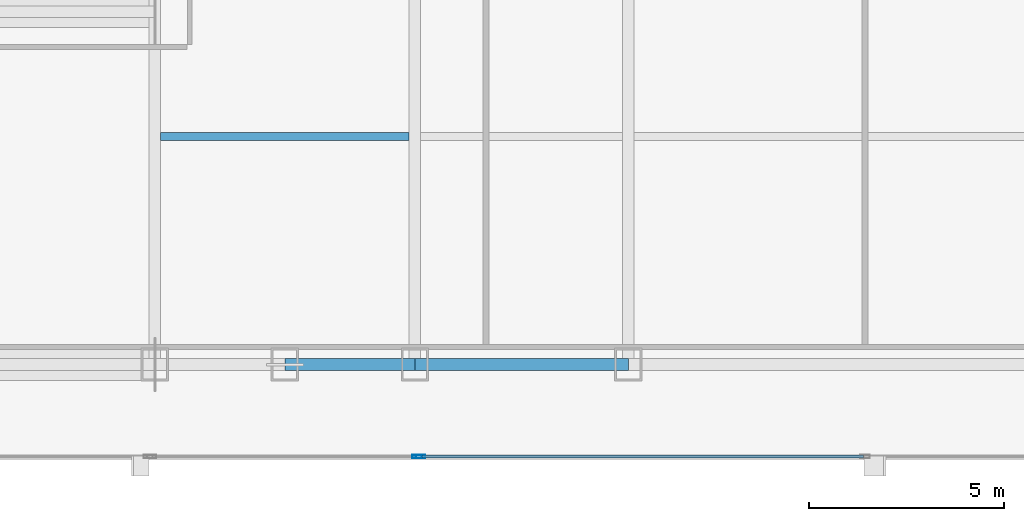
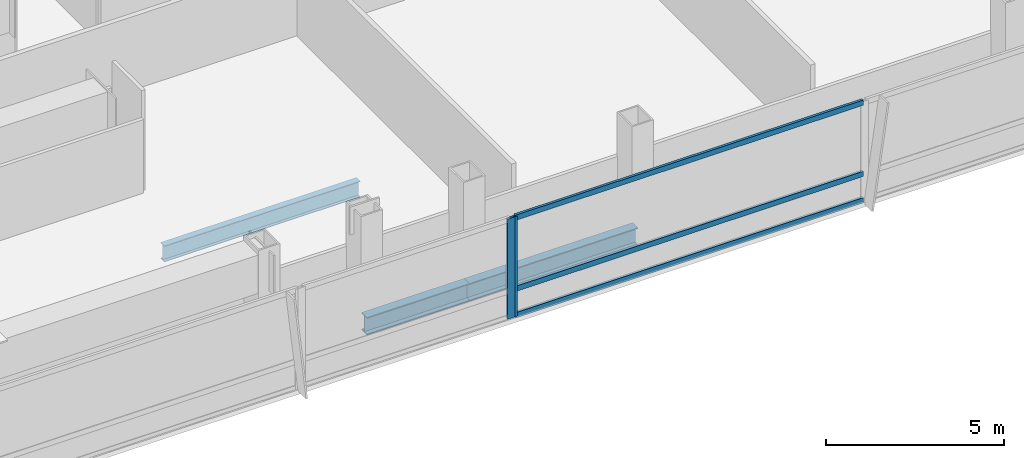
# One storey, part 8 of 30: 5 members, 3 beams, 2 elements without a shape of their own.
"""IFC4 building model written with IfcOpenShell, lengths in metres."""

from ifc_helpers import new_model, si_unit, direction, frame, origin, origin_2d, place, context, subcontext, project, spatial, hollow_rectangle, i_section, extrude, material, material_profile, profile_set, type_object, element, aggregate, save


model = new_model("IFC4")

# Units and contexts
model_context = context("Model", 3, precision=1e-05, world=origin(), true_north=direction((0.0, 1.0)))
body_context = subcontext(model_context, "Body", "Model", "MODEL_VIEW")
ifc_project = project(units=[si_unit("LENGTHUNIT", "METRE"), si_unit("AREAUNIT", "SQUARE_METRE"), si_unit("VOLUMEUNIT", "CUBIC_METRE"), si_unit("PLANEANGLEUNIT", "RADIAN"), si_unit("MASSUNIT", "GRAM", prefix="KILO")], contexts=[model_context])

# Site, building, storey
site_placement = place(None, origin())
site = spatial("IfcSite", under=ifc_project, at=site_placement, CompositionType="ELEMENT")
building_placement = place(site_placement, origin())
building = spatial("IfcBuilding", under=site, at=building_placement, Name="Khoronbel Lancet Exchange", CompositionType="ELEMENT")
storey_placement = place(building_placement, frame((0.0, 0.0, 132.60009765625)))
storey = spatial("IfcBuildingStorey", under=building, at=storey_placement, Name="L32", CompositionType="ELEMENT", Elevation=132.60009765625)

# Beams
ifc_material_1 = material(Name="Steel S355", Category="steel")
ifc_material_profile_1 = material_profile(ifc_material_1, i_section(OverallWidth=0.2099609375, OverallDepth=0.550048828125, WebThickness=0.010986328125, FlangeThickness=0.01708984375, at=origin_2d()), Name="IPE 550")
ifc_profile_set_1 = profile_set([ifc_material_profile_1], Name="Steel S355")
beam_type_1 = type_object("IfcBeamType", Name="BM-BJ2", PredefinedType="JOIST", material=ifc_profile_set_1)
beam_1_placement = place(storey_placement, frame((18.375, 16.0, -0.43505859375), z_axis=(1.0, 0.0, 0.0), x_axis=(0.0, 1.0, 0.0)))
element("IfcBeam", 1, at=beam_1_placement, inside=storey, type_object=beam_type_1, Name="Level L32 secondary composite joist J01", PredefinedType="JOIST", context=body_context, shape_type="SweptSolid", body=[
    extrude(i_section(OverallWidth=0.2099609375, OverallDepth=0.550048828125, WebThickness=0.010986328125, FlangeThickness=0.01708984375, at=origin_2d()), origin(), (0.0, 0.0, 1.0), 6.375),
])
ifc_material_profile_2 = material_profile(ifc_material_1, i_section(OverallWidth=0.300048828125, OverallDepth=0.60009765625, WebThickness=0.015380859375, FlangeThickness=0.030029296875, at=origin_2d()), Name="HEB 600")
ifc_profile_set_2 = profile_set([ifc_material_profile_2], Name="Steel S355")
beam_type_2 = type_object("IfcBeamType", Name="BM-BSP2", PredefinedType="SPANDREL", material=ifc_profile_set_2)
beam_2_placement = place(storey_placement, frame((21.5625, 10.14990234375, -0.460205078125), z_axis=(1.0, 0.0, 0.0), x_axis=(0.0, 1.0, 0.0)))
element("IfcBeam", 2, at=beam_2_placement, inside=storey, type_object=beam_type_2, Name="Level L32 perimeter spandrel beam SP03", PredefinedType="SPANDREL", context=body_context, shape_type="SweptSolid", body=[
    extrude(i_section(OverallWidth=0.300048828125, OverallDepth=0.60009765625, WebThickness=0.015380859375, FlangeThickness=0.030029296875, at=origin_2d()), origin(), (0.0, 0.0, 1.0), 3.33740234375),
])
beam_3_placement = place(storey_placement, frame((24.89990234375, 10.14990234375, -0.460205078125), z_axis=(1.0, 0.0, 0.0), x_axis=(0.0, 1.0, 0.0)))
element("IfcBeam", 3, at=beam_3_placement, inside=storey, type_object=beam_type_2, Name="Level L32 perimeter spandrel beam SP04", PredefinedType="SPANDREL", context=body_context, shape_type="SweptSolid", body=[
    extrude(i_section(OverallWidth=0.300048828125, OverallDepth=0.60009765625, WebThickness=0.015380859375, FlangeThickness=0.030029296875, at=origin_2d()), origin(), (0.0, 0.0, 1.0), 5.47509765625),
])

# Curtain wall, member
ifc_material_2 = material(Name="Low-E Solar Control Insulating Glass", Category="glass")
curtain_wall_type = type_object("IfcCurtainWallType", Name="CW-2", PredefinedType="NOTDEFINED", material=ifc_material_2)
curtain_wall_1_placement = place(storey_placement, origin())
curtain_wall_1 = element("IfcCurtainWall", 4, at=curtain_wall_1_placement, inside=storey, type_object=curtain_wall_type, Name="Unitised curtain wall CW-L32-SWB", PredefinedType="NOTDEFINED")
ifc_material_3 = material(Name="Bronze-Anodised Aluminium 6063-T6", Category="aluminium")
ifc_material_profile_3 = material_profile(ifc_material_3, hollow_rectangle(XDim=0.0849609375, YDim=0.239990234375, WallThickness=0.006103515625, at=origin_2d()), Name="ALU MULLION 85x240")
ifc_profile_set_3 = profile_set([ifc_material_profile_3], Name="Bronze-Anodised Aluminium 6063-T6")
member_type_1 = type_object("IfcMemberType", Name="MEM-CWM1", PredefinedType="MULLION", material=ifc_profile_set_3)
member_1_placement = place(storey_placement, frame((24.95751953125, 7.7900390625, 0.0), z_axis=(0.0, 0.0, 1.0), x_axis=(0.0, 1.0, 0.0)))
member_1 = element("IfcMember", 5, at=member_1_placement, type_object=member_type_1, Name="CW2 mullion 2", PredefinedType="MULLION", context=body_context, shape_type="SweptSolid", body=[
    extrude(hollow_rectangle(XDim=0.0849609375, YDim=0.239990234375, WallThickness=0.006103515625, at=origin_2d()), origin(), (0.0, 0.0, 1.0), 3.43994140625),
])
aggregate(curtain_wall_1, [member_1])

# Curtain wall, members
curtain_wall_2_placement = place(storey_placement, origin())
curtain_wall_2 = element("IfcCurtainWall", 6, at=curtain_wall_2_placement, inside=storey, type_object=curtain_wall_type, Name="Unitised curtain wall CW-L32-SCV", PredefinedType="NOTDEFINED")
member_2_placement = place(storey_placement, frame((25.04248046875, 7.7900390625, 0.0), z_axis=(0.0, 0.0, 1.0), x_axis=(0.0, 1.0, 0.0)))
member_2 = element("IfcMember", 7, at=member_2_placement, type_object=member_type_1, Name="CW2 mullion 1", PredefinedType="MULLION", context=body_context, shape_type="SweptSolid", body=[
    extrude(hollow_rectangle(XDim=0.0849609375, YDim=0.239990234375, WallThickness=0.006103515625, at=origin_2d()), origin(), (0.0, 0.0, 1.0), 3.43994140625),
])
ifc_material_profile_4 = material_profile(ifc_material_3, hollow_rectangle(XDim=0.0849609375, YDim=0.179931640625, WallThickness=0.0048828125, at=origin_2d()), Name="ALU TRANSOM 85x180")
ifc_profile_set_4 = profile_set([ifc_material_profile_4], Name="Bronze-Anodised Aluminium 6063-T6")
member_type_2 = type_object("IfcMemberType", Name="MEM-CWT1", PredefinedType="USERDEFINED", material=ifc_profile_set_4)
member_3_placement = place(storey_placement, frame((25.0849609375, 7.7900390625, 0.04248046875), z_axis=(1.0, 0.0, 0.0), x_axis=(0.0, 1.0, 0.0)))
member_3 = element("IfcMember", 8, at=member_3_placement, type_object=member_type_2, Name="CW2 transom 1.1", ObjectType="TRANSOM", PredefinedType="USERDEFINED", context=body_context, shape_type="SweptSolid", body=[
    extrude(hollow_rectangle(XDim=0.0849609375, YDim=0.179931640625, WallThickness=0.0048828125, at=origin_2d()), origin(), (0.0, 0.0, 1.0), 11.322509765625),
])
member_4_placement = place(storey_placement, frame((25.0849609375, 7.7900390625, 0.949951171875), z_axis=(1.0, 0.0, 0.0), x_axis=(0.0, 1.0, 0.0)))
member_4 = element("IfcMember", 9, at=member_4_placement, type_object=member_type_2, Name="CW2 transom 1.2", ObjectType="TRANSOM", PredefinedType="USERDEFINED", context=body_context, shape_type="SweptSolid", body=[
    extrude(hollow_rectangle(XDim=0.0849609375, YDim=0.179931640625, WallThickness=0.0048828125, at=origin_2d()), origin(), (0.0, 0.0, 1.0), 11.322509765625),
])
member_5_placement = place(storey_placement, frame((25.0849609375, 7.7900390625, 3.3974609375), z_axis=(1.0, 0.0, 0.0), x_axis=(0.0, 1.0, 0.0)))
member_5 = element("IfcMember", 10, at=member_5_placement, type_object=member_type_2, Name="CW2 transom 1.3", ObjectType="TRANSOM", PredefinedType="USERDEFINED", context=body_context, shape_type="SweptSolid", body=[
    extrude(hollow_rectangle(XDim=0.0849609375, YDim=0.179931640625, WallThickness=0.0048828125, at=origin_2d()), origin(), (0.0, 0.0, 1.0), 11.322509765625),
])
aggregate(curtain_wall_2, [member_2, member_3, member_4, member_5])

save(model, "model.ifc")
